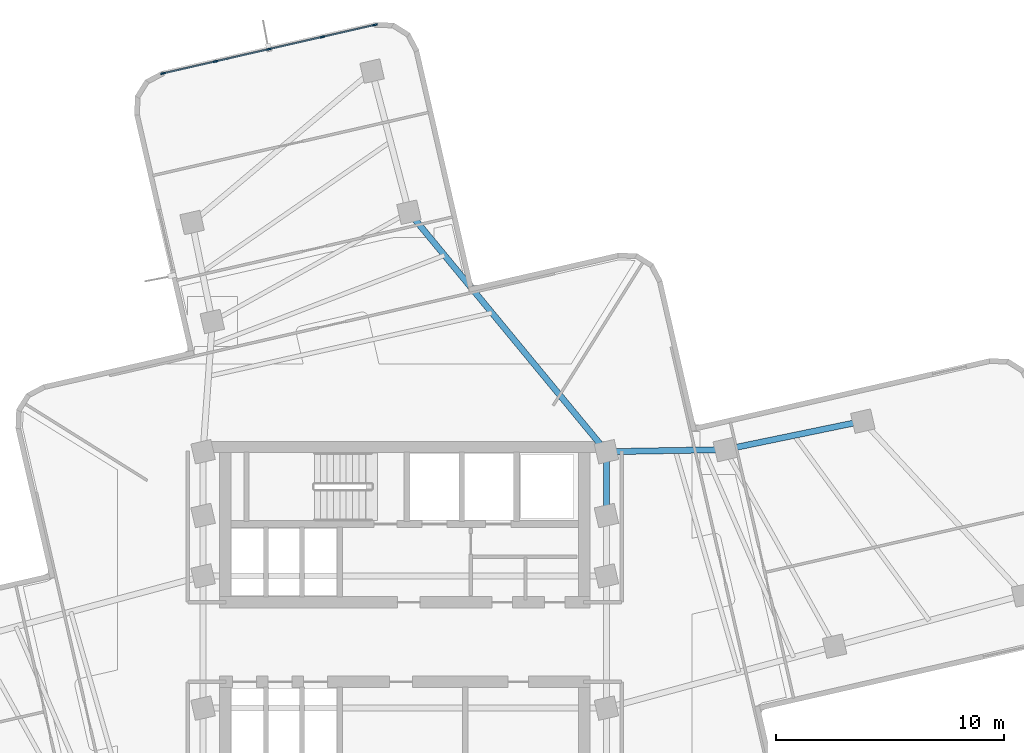
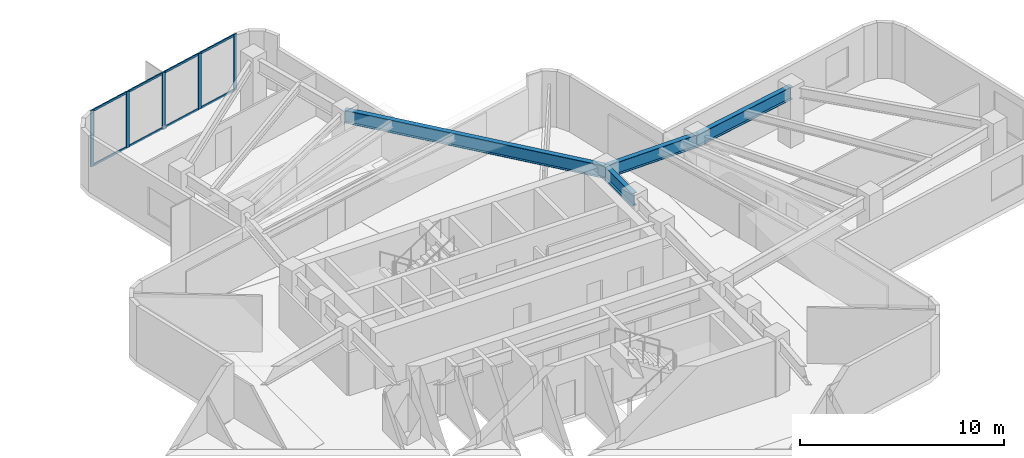
# One storey, part 4 of 11: 13 members, 4 beams, 1 element without a shape of its own.
"""IFC4 building model written with IfcOpenShell, lengths in metres."""

import ifcopenshell
import ifcopenshell.guid

model = None  # the IFC model being written
_history = None  # IfcOwnerHistory: only IFC2X3 demands one
_inside = {}  # id of a spatial element -> (the spatial element, [elements in it])
_under = {}  # id of a project, library or spatial element -> (it, [spatial elements below it])
_declared = {}  # id of a project -> (the project, [libraries it declares])
_typed = {}  # id of a type object -> (the type object, [elements of that type])
_made_of = {}  # id of a material, layer set ... -> (it, [elements and type objects made of it])


def new_model(schema):
    """Start an empty IFC model of exactly this schema.

    Asked for "IFC4X3", IfcOpenShell would pick the latest addendum, in which some entities
    have other attributes; the version numbers below select the first issue.
    IFC2X3 requires an IfcOwnerHistory on every rooted entity: one is made here for all.
    """
    global model, _history
    if schema == "IFC4X3":
        model = ifcopenshell.file(schema_version=(4, 3, 0, 0))
    else:
        model = ifcopenshell.file(schema=schema)
    _inside.clear()
    _under.clear()
    _declared.clear()
    _typed.clear()
    _made_of.clear()
    _history = None
    if model.schema == "IFC2X3":
        org = make("IfcOrganization", Name="unknown")
        user = make(
            "IfcPersonAndOrganization",
            ThePerson=make("IfcPerson", FamilyName="unknown"),
            TheOrganization=org,
        )
        app = make(
            "IfcApplication",
            ApplicationDeveloper=org,
            Version="unknown",
            ApplicationFullName="unknown",
            ApplicationIdentifier="unknown",
        )
        _history = make(
            "IfcOwnerHistory",
            OwningUser=user,
            OwningApplication=app,
            ChangeAction="ADDED",
            CreationDate=0,
        )
    return model


def make(cls, **values):
    """One entity of the class cls with the attributes given. An attribute that is None is left unset."""
    return model.create_entity(
        cls, **{name: value for name, value in values.items() if value is not None}
    )


def rooted(cls, **values):
    """An entity with a GlobalId (a new one), such as an element, a storey or a relation."""
    return make(cls, GlobalId=ifcopenshell.guid.new(), OwnerHistory=_history, **values)


def si_unit(unit_type, name, prefix=None):
    """IfcSIUnit, for example si_unit("LENGTHUNIT", "METRE", prefix="MILLI")."""
    return make("IfcSIUnit", UnitType=unit_type, Prefix=prefix, Name=name)


def assignment(units):
    """IfcUnitAssignment: the units of a project."""
    return None if units is None else make("IfcUnitAssignment", Units=units)


def point(xyz):
    """IfcCartesianPoint."""
    return None if xyz is None else make("IfcCartesianPoint", Coordinates=xyz)


def direction(xyz):
    """IfcDirection."""
    return None if xyz is None else make("IfcDirection", DirectionRatios=xyz)


def frame(location, z_axis=None, x_axis=None):
    """IfcAxis2Placement3D, a coordinate frame: its origin and axes. An axis left out is left unset."""
    return make(
        "IfcAxis2Placement3D",
        Location=point(location),
        Axis=direction(z_axis),
        RefDirection=direction(x_axis),
    )


def frame_2d(location, x_axis=None):
    """IfcAxis2Placement2D, a coordinate frame in the plane: its origin and x axis."""
    return make(
        "IfcAxis2Placement2D", Location=point(location), RefDirection=direction(x_axis)
    )


def origin():
    """The frame at (0, 0, 0) with its axes left unset."""
    return frame((0.0, 0.0, 0.0))


def origin_2d():
    """The frame at (0, 0) in the plane with its x axis left unset."""
    return frame_2d((0.0, 0.0))


def place(relative_to, where):
    """IfcLocalPlacement: puts the frame where relative to a parent placement (None: the world)."""
    return make(
        "IfcLocalPlacement", PlacementRelTo=relative_to, RelativePlacement=where
    )


def context(
    kind, dimensions, precision=None, world=None, true_north=None, identifier=None
):
    """IfcGeometricRepresentationContext, for example the 3D "Model" context."""
    return make(
        "IfcGeometricRepresentationContext",
        ContextIdentifier=identifier,
        ContextType=kind,
        CoordinateSpaceDimension=dimensions,
        Precision=precision,
        WorldCoordinateSystem=world,
        TrueNorth=true_north,
    )


def subcontext(parent, identifier, kind, view, scale=None):
    """IfcGeometricRepresentationSubContext, for example "Body" below "Model"."""
    return make(
        "IfcGeometricRepresentationSubContext",
        ContextIdentifier=identifier,
        ContextType=kind,
        ParentContext=parent,
        TargetScale=scale,
        TargetView=view,
    )


def project(units=None, contexts=None):
    """IfcProject with its units and contexts."""
    return rooted(
        "IfcProject",
        Name="project",
        RepresentationContexts=contexts,
        UnitsInContext=assignment(units),
    )


def spatial(cls, under=None, at=None, **own):
    """A site, building, storey or space (cls), placed at a placement, below another one or the project."""
    s = rooted(cls, ObjectPlacement=at, **own)
    if under is not None:
        _under.setdefault(under.id(), (under, []))[1].append(s)
    return s


def profile(cls, at=None, kind="AREA", **sizes):
    """A parametric profile (cls). Its sizes go by their IFC names, for example OverallWidth=200.0."""
    return make(cls, ProfileType=kind, Position=at, **sizes)


def rectangle(**sizes):
    """IfcRectangleProfileDef."""
    return profile("IfcRectangleProfileDef", **sizes)


def i_section(**sizes):
    """IfcIShapeProfileDef."""
    return profile("IfcIShapeProfileDef", **sizes)


def extrude(swept, where, along, depth):
    """IfcExtrudedAreaSolid: the profile swept, set in the frame where, extruded along a direction by depth."""
    return make(
        "IfcExtrudedAreaSolid",
        SweptArea=swept,
        Position=where,
        ExtrudedDirection=direction(along),
        Depth=depth,
    )


def shape(context_of_items, identifier, shape_type, items):
    """IfcShapeRepresentation: the items that make up one representation, for example the "Body"."""
    return make(
        "IfcShapeRepresentation",
        ContextOfItems=context_of_items,
        RepresentationIdentifier=identifier,
        RepresentationType=shape_type,
        Items=items,
    )


def material(Name=None, Category=None):
    """IfcMaterial."""
    return make("IfcMaterial", Name=Name, Category=Category)


def layer(
    of_material, thickness, ventilated=None, Name=None, Category=None, Priority=None
):
    """IfcMaterialLayer: one layer of a wall or slab, of a material (None: an air gap)."""
    return make(
        "IfcMaterialLayer",
        Material=of_material,
        LayerThickness=thickness,
        IsVentilated=ventilated,
        Name=Name,
        Category=Category,
        Priority=Priority,
    )


def layer_set(layers, Name=None):
    """IfcMaterialLayerSet."""
    return make("IfcMaterialLayerSet", MaterialLayers=layers, LayerSetName=Name)


def material_profile(
    of_material, cross_section, Name=None, Category=None, Priority=None
):
    """IfcMaterialProfile: a cross section and its material."""
    return make(
        "IfcMaterialProfile",
        Name=Name,
        Material=of_material,
        Profile=cross_section,
        Priority=Priority,
        Category=Category,
    )


def profile_set(profiles, Name=None, composite=None):
    """IfcMaterialProfileSet."""
    return make(
        "IfcMaterialProfileSet",
        Name=Name,
        MaterialProfiles=profiles,
        CompositeProfile=composite,
    )


def made_of(thing, what):
    """Note that an element or type object is made of a material, layer set ...; save() writes the relation."""
    if what is not None:
        _made_of.setdefault(what.id(), (what, []))[1].append(thing)
    return thing


def type_object(cls, material=None, **own):
    """A type object (cls), such as IfcWallType, which elements share."""
    return made_of(rooted(cls, **own), material)


def element(
    cls,
    number,
    at=None,
    inside=None,
    cuts=None,
    type_object=None,
    material=None,
    context=None,
    identifier="Body",
    shape_type=None,
    held_by="IfcProductDefinitionShape",
    body=None,
    shapes=None,
    **own,
):
    """One element of the class cls, such as IfcWall. Its Tag is "e" and its number.

    at: its placement. inside: the storey or other place that contains it. cuts: it is an
    opening in that element (IfcRelVoidsElement). A single representation is given by context,
    identifier, shape_type and body (its items); several are given by shapes. held_by: the class
    of the entity that holds the representations. save() writes the other relations.
    """
    e = rooted(cls, Tag="e%d" % number, ObjectPlacement=at, **own)
    if body is not None:
        shapes = [shape(context, identifier, shape_type, body)]
    if shapes is not None:
        e.Representation = make(held_by, Representations=shapes)
    if inside is not None:
        _inside.setdefault(inside.id(), (inside, []))[1].append(e)
    if cuts is not None:
        rooted(
            "IfcRelVoidsElement", RelatingBuildingElement=cuts, RelatedOpeningElement=e
        )
    if type_object is not None:
        _typed.setdefault(type_object.id(), (type_object, []))[1].append(e)
    return made_of(e, material)


def aggregate(whole, parts):
    """IfcRelAggregates: a whole, such as a stair, and the parts it consists of."""
    return rooted("IfcRelAggregates", RelatingObject=whole, RelatedObjects=parts)


def save(model, path):
    """Write the relations noted so far, then the file.

    IfcRelAggregates (storeys below a building ...), IfcRelContainedInSpatialStructure (elements
    in a storey), IfcRelDefinesByType, IfcRelAssociatesMaterial and IfcRelDeclares: one each for
    every whole, place, type object, material and project.
    """
    for whole, parts in _under.values():
        aggregate(whole, parts)
    for where, things in _inside.values():
        rooted(
            "IfcRelContainedInSpatialStructure",
            RelatedElements=things,
            RelatingStructure=where,
        )
    for kind, things in _typed.values():
        rooted("IfcRelDefinesByType", RelatedObjects=things, RelatingType=kind)
    for what, things in _made_of.values():
        rooted("IfcRelAssociatesMaterial", RelatedObjects=things, RelatingMaterial=what)
    for by, libraries in _declared.values():
        rooted("IfcRelDeclares", RelatingContext=by, RelatedDefinitions=libraries)
    model.write(path)


model = new_model("IFC4")

# Units and contexts
model_context = context("Model", 3, precision=1e-05, world=origin(), true_north=direction((0.0, 1.0)))
body_context = subcontext(model_context, "Body", "Model", "MODEL_VIEW")
ifc_project = project(units=[si_unit("LENGTHUNIT", "METRE"), si_unit("AREAUNIT", "SQUARE_METRE"), si_unit("VOLUMEUNIT", "CUBIC_METRE"), si_unit("PLANEANGLEUNIT", "RADIAN"), si_unit("MASSUNIT", "GRAM", prefix="KILO")], contexts=[model_context])

# Site, building, storey
site_placement = place(None, origin())
site = spatial("IfcSite", under=ifc_project, at=site_placement, CompositionType="ELEMENT")
building_placement = place(site_placement, origin())
building = spatial("IfcBuilding", under=site, at=building_placement, Name="Solmarez Civic Tower", CompositionType="ELEMENT")
storey_placement = place(building_placement, frame((0.0, 0.0, 119.8798828125)))
storey = spatial("IfcBuildingStorey", under=building, at=storey_placement, Name="L31", CompositionType="ELEMENT", Elevation=119.8798828125)

# Beams
ifc_material_1 = material(Name="Steel S355", Category="steel")
ifc_material_profile_1 = material_profile(ifc_material_1, i_section(OverallWidth=0.26708984375, OverallDepth=0.761962890625, WebThickness=0.014404296875, FlangeThickness=0.021484375, at=origin_2d()), Name="W30X116")
ifc_profile_set_1 = profile_set([ifc_material_profile_1], Name="Steel S355")
beam_type = type_object("IfcBeamType", Name="BM-PR-W30X116", PredefinedType="BEAM", material=ifc_profile_set_1)
beam_1_placement = place(storey_placement, frame((8.85009765625, 5.550048828125, 2.959228515625), z_axis=(0.0, 1.0, 0.0), x_axis=(-1.0, 0.0, 0.0)))
element("IfcBeam", 1, at=beam_1_placement, inside=storey, type_object=beam_type, Name="L31 Primary Floor Beam BM-L31-HC8-HC11", PredefinedType="BEAM", context=body_context, shape_type="SweptSolid", body=[
    extrude(i_section(OverallWidth=0.26708984375, OverallDepth=0.761962890625, WebThickness=0.014404296875, FlangeThickness=0.021484375, at=origin_2d()), origin(), (0.0, 0.0, 1.0), 2.800048828125),
])
beam_2_placement = place(storey_placement, frame((8.85009765625, 8.35009765625, 2.959228515625), z_axis=(0.999834147765, 0.018212000538, 0.0), x_axis=(-0.018212000538, 0.999834147765, 0.0)))
element("IfcBeam", 2, at=beam_2_placement, inside=storey, type_object=beam_type, Name="L31 Primary Floor Beam BM-L31-EA-R1B", PredefinedType="BEAM", context=body_context, shape_type="SweptSolid", body=[
    extrude(i_section(OverallWidth=0.26708984375, OverallDepth=0.761962890625, WebThickness=0.014404296875, FlangeThickness=0.021484375, at=origin_2d()), origin(), (0.0, 0.0, 1.0), 5.21484375),
])
beam_3_placement = place(storey_placement, frame((14.06396484375, 8.445068359375, 2.959228515625), z_axis=(0.979311082476, 0.202360578523, 0.0), x_axis=(-0.202360578523, 0.979311082476, 0.0)))
element("IfcBeam", 3, at=beam_3_placement, inside=storey, type_object=beam_type, Name="L31 Primary Floor Beam BM-L31-EA-R2B", PredefinedType="BEAM", context=body_context, shape_type="SweptSolid", body=[
    extrude(i_section(OverallWidth=0.26708984375, OverallDepth=0.761962890625, WebThickness=0.014404296875, FlangeThickness=0.021484375, at=origin_2d()), origin(), (0.0, 0.0, 1.0), 6.161376953125),
])
beam_4_placement = place(storey_placement, frame((8.85009765625, 8.35009765625, 2.959228515625), z_axis=(-0.636218453069, 0.77150896299, 0.0), x_axis=(-0.77150896299, -0.636218453069, 0.0)))
element("IfcBeam", 4, at=beam_4_placement, inside=storey, type_object=beam_type, Name="L31 Primary Floor Beam BM-L31-NA-R1A", PredefinedType="BEAM", context=body_context, shape_type="SweptSolid", body=[
    extrude(i_section(OverallWidth=0.26708984375, OverallDepth=0.761962890625, WebThickness=0.014404296875, FlangeThickness=0.021484375, at=origin_2d()), origin(), (0.0, 0.0, 1.0), 13.62255859375),
])

# Curtain wall, members
ifc_material_2 = material(Name="Bronze Anodised Aluminium EN AW-6063 T6", Category="aluminium")
ifc_layer = layer(ifc_material_2, 0.2099609375)
ifc_layer_set = layer_set([ifc_layer], Name="Bronze Anodised Aluminium EN AW-6063 T6")
curtain_wall_type = type_object("IfcCurtainWallType", Name="CW-SYS-5", PredefinedType="NOTDEFINED", material=ifc_layer_set)
curtain_wall_placement = place(storey_placement, origin())
curtain_wall = element("IfcCurtainWall", 5, at=curtain_wall_placement, inside=storey, type_object=curtain_wall_type, Name="L31 Stick-Built Curtain Wall 2", PredefinedType="NOTDEFINED")
ifc_material_profile_2 = material_profile(ifc_material_2, rectangle(XDim=0.074951171875, YDim=0.199951171875, at=origin_2d()), Name="CWM-75X200")
ifc_profile_set_2 = profile_set([ifc_material_profile_2], Name="Bronze Anodised Aluminium EN AW-6063 T6")
member_type_1 = type_object("IfcMemberType", Name="CWM-TYPE-1", PredefinedType="MULLION", material=ifc_profile_set_2)
member_1_placement = place(storey_placement, frame((-10.6103515625, 24.950439453125, 0.0), z_axis=(0.0, 0.0, 1.0), x_axis=(-0.223386444051, 0.974729960868, 0.0)))
member_1 = element("IfcMember", 6, at=member_1_placement, type_object=member_type_1, Name="CWS5 mullion 1", PredefinedType="MULLION", context=body_context, shape_type="SweptSolid", body=[
    extrude(rectangle(XDim=0.074951171875, YDim=0.199951171875, at=origin_2d()), origin(), (0.0, 0.0, 1.0), 3.340087890625),
])
member_2_placement = place(storey_placement, frame((-8.302734375, 25.479248046875, 0.0), z_axis=(0.0, 0.0, 1.0), x_axis=(-0.223386444051, 0.974729960868, 0.0)))
member_2 = element("IfcMember", 7, at=member_2_placement, type_object=member_type_1, Name="CWS5 mullion 2", PredefinedType="MULLION", context=body_context, shape_type="SweptSolid", body=[
    extrude(rectangle(XDim=0.074951171875, YDim=0.199951171875, at=origin_2d()), origin(), (0.0, 0.0, 1.0), 3.340087890625),
])
member_3_placement = place(storey_placement, frame((-5.95849609375, 26.0166015625, 0.0), z_axis=(0.0, 0.0, 1.0), x_axis=(-0.223386444051, 0.974729960868, 0.0)))
member_3 = element("IfcMember", 8, at=member_3_placement, type_object=member_type_1, Name="CWS5 mullion 3", PredefinedType="MULLION", context=body_context, shape_type="SweptSolid", body=[
    extrude(rectangle(XDim=0.074951171875, YDim=0.199951171875, at=origin_2d()), origin(), (0.0, 0.0, 1.0), 3.340087890625),
])
member_4_placement = place(storey_placement, frame((-3.6142578125, 26.5537109375, 0.0), z_axis=(0.0, 0.0, 1.0), x_axis=(-0.223386444051, 0.974729960868, 0.0)))
member_4 = element("IfcMember", 9, at=member_4_placement, type_object=member_type_1, Name="CWS5 mullion 4", PredefinedType="MULLION", context=body_context, shape_type="SweptSolid", body=[
    extrude(rectangle(XDim=0.074951171875, YDim=0.199951171875, at=origin_2d()), origin(), (0.0, 0.0, 1.0), 3.340087890625),
])
member_5_placement = place(storey_placement, frame((-1.306640625, 27.08251953125, 0.0), z_axis=(0.0, 0.0, 1.0), x_axis=(-0.223386444051, 0.974729960868, 0.0)))
member_5 = element("IfcMember", 10, at=member_5_placement, type_object=member_type_1, Name="CWS5 mullion 5", PredefinedType="MULLION", context=body_context, shape_type="SweptSolid", body=[
    extrude(rectangle(XDim=0.074951171875, YDim=0.199951171875, at=origin_2d()), origin(), (0.0, 0.0, 1.0), 3.340087890625),
])
ifc_material_profile_3 = material_profile(ifc_material_2, rectangle(XDim=0.06494140625, YDim=0.125, at=origin_2d()), Name="CWT-65X125")
ifc_profile_set_3 = profile_set([ifc_material_profile_3], Name="Bronze Anodised Aluminium EN AW-6063 T6")
member_type_2 = type_object("IfcMemberType", Name="CWT-TYPE-2", PredefinedType="USERDEFINED", material=ifc_profile_set_3)
member_6_placement = place(storey_placement, frame((-10.573974609375, 24.958740234375, 0.03271484375), z_axis=(0.974722173327, 0.22342042168, 0.0), x_axis=(-0.22342042168, 0.974722173327, 0.0)))
member_6 = element("IfcMember", 11, at=member_6_placement, type_object=member_type_2, Name="CWS5 transom 1.1", ObjectType="TRANSOM", PredefinedType="USERDEFINED", context=body_context, shape_type="SweptSolid", body=[
    extrude(rectangle(XDim=0.06494140625, YDim=0.125, at=origin_2d()), origin(), (0.0, 0.0, 1.0), 2.29248046875),
])
member_7_placement = place(storey_placement, frame((-10.573974609375, 24.958740234375, 3.3076171875), z_axis=(0.974722173327, 0.22342042168, 0.0), x_axis=(-0.22342042168, 0.974722173327, 0.0)))
member_7 = element("IfcMember", 12, at=member_7_placement, type_object=member_type_2, Name="CWS5 transom 1.2", ObjectType="TRANSOM", PredefinedType="USERDEFINED", context=body_context, shape_type="SweptSolid", body=[
    extrude(rectangle(XDim=0.06494140625, YDim=0.125, at=origin_2d()), origin(), (0.0, 0.0, 1.0), 2.29248046875),
])
member_8_placement = place(storey_placement, frame((-8.26611328125, 25.487548828125, 0.03271484375), z_axis=(0.974725663602, 0.223405194023, 0.0), x_axis=(-0.223405194023, 0.974725663602, 0.0)))
member_8 = element("IfcMember", 13, at=member_8_placement, type_object=member_type_2, Name="CWS5 transom 2.1", ObjectType="TRANSOM", PredefinedType="USERDEFINED", context=body_context, shape_type="SweptSolid", body=[
    extrude(rectangle(XDim=0.06494140625, YDim=0.125, at=origin_2d()), origin(), (0.0, 0.0, 1.0), 2.329833984375),
])
member_9_placement = place(storey_placement, frame((-8.26611328125, 25.487548828125, 3.3076171875), z_axis=(0.974725663602, 0.223405194023, 0.0), x_axis=(-0.223405194023, 0.974725663602, 0.0)))
member_9 = element("IfcMember", 14, at=member_9_placement, type_object=member_type_2, Name="CWS5 transom 2.2", ObjectType="TRANSOM", PredefinedType="USERDEFINED", context=body_context, shape_type="SweptSolid", body=[
    extrude(rectangle(XDim=0.06494140625, YDim=0.125, at=origin_2d()), origin(), (0.0, 0.0, 1.0), 2.329833984375),
])
member_10_placement = place(storey_placement, frame((-5.921875, 26.02490234375, 0.03271484375), z_axis=(0.974725663602, 0.223405194023, 0.0), x_axis=(-0.223405194023, 0.974725663602, 0.0)))
member_10 = element("IfcMember", 15, at=member_10_placement, type_object=member_type_2, Name="CWS5 transom 3.1", ObjectType="TRANSOM", PredefinedType="USERDEFINED", context=body_context, shape_type="SweptSolid", body=[
    extrude(rectangle(XDim=0.06494140625, YDim=0.125, at=origin_2d()), origin(), (0.0, 0.0, 1.0), 2.329833984375),
])
member_11_placement = place(storey_placement, frame((-5.921875, 26.02490234375, 3.3076171875), z_axis=(0.974725663602, 0.223405194023, 0.0), x_axis=(-0.223405194023, 0.974725663602, 0.0)))
member_11 = element("IfcMember", 16, at=member_11_placement, type_object=member_type_2, Name="CWS5 transom 3.2", ObjectType="TRANSOM", PredefinedType="USERDEFINED", context=body_context, shape_type="SweptSolid", body=[
    extrude(rectangle(XDim=0.06494140625, YDim=0.125, at=origin_2d()), origin(), (0.0, 0.0, 1.0), 2.329833984375),
])
member_12_placement = place(storey_placement, frame((-3.57763671875, 26.56201171875, 0.03271484375), z_axis=(0.974722173327, 0.22342042168, 0.0), x_axis=(-0.22342042168, 0.974722173327, 0.0)))
member_12 = element("IfcMember", 17, at=member_12_placement, type_object=member_type_2, Name="CWS5 transom 4.1", ObjectType="TRANSOM", PredefinedType="USERDEFINED", context=body_context, shape_type="SweptSolid", body=[
    extrude(rectangle(XDim=0.06494140625, YDim=0.125, at=origin_2d()), origin(), (0.0, 0.0, 1.0), 2.29248046875),
])
member_13_placement = place(storey_placement, frame((-3.57763671875, 26.56201171875, 3.3076171875), z_axis=(0.974722173327, 0.22342042168, 0.0), x_axis=(-0.22342042168, 0.974722173327, 0.0)))
member_13 = element("IfcMember", 18, at=member_13_placement, type_object=member_type_2, Name="CWS5 transom 4.2", ObjectType="TRANSOM", PredefinedType="USERDEFINED", context=body_context, shape_type="SweptSolid", body=[
    extrude(rectangle(XDim=0.06494140625, YDim=0.125, at=origin_2d()), origin(), (0.0, 0.0, 1.0), 2.29248046875),
])
aggregate(curtain_wall, [member_1, member_2, member_3, member_4, member_5, member_6, member_7, member_8, member_9, member_10, member_11, member_12, member_13])

save(model, "model.ifc")
